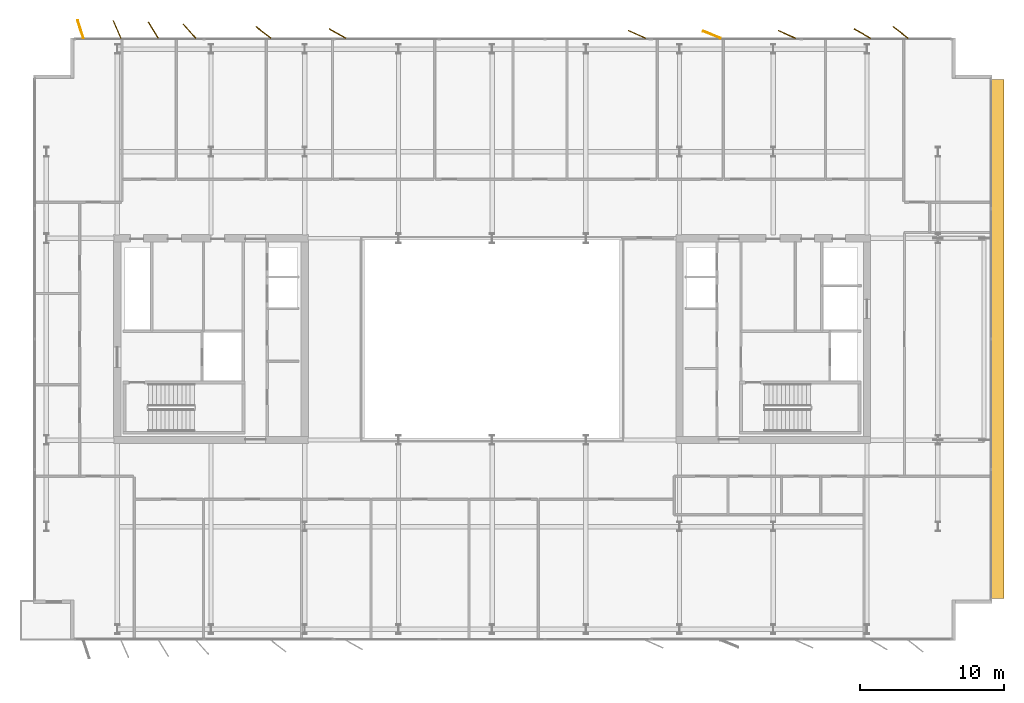
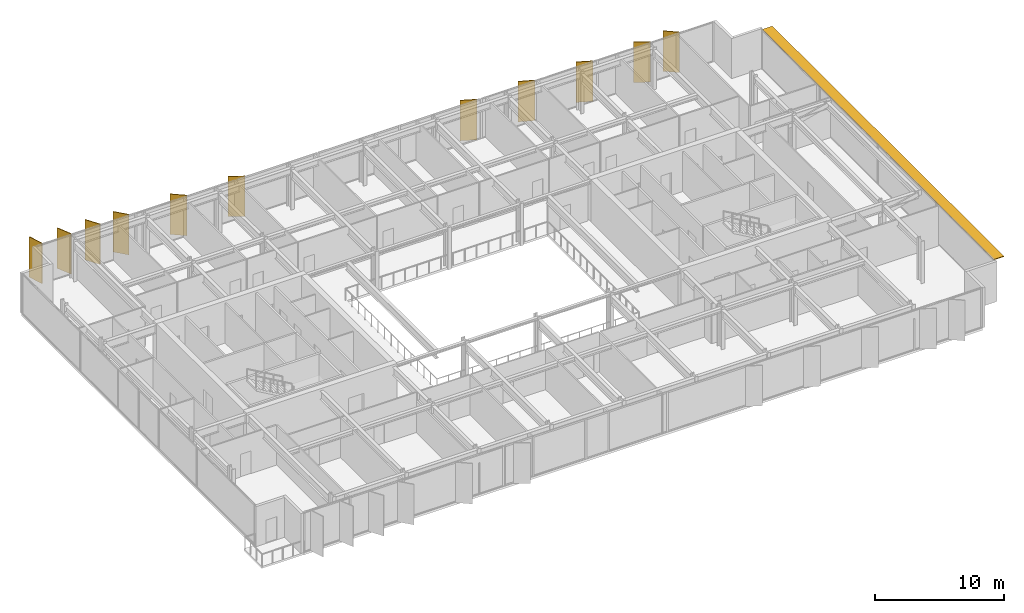
# One storey, part 20 of 20: 12 shading devices.
"""IFC4 building model written with IfcOpenShell, lengths in metres."""

from ifc_helpers import new_model, si_unit, direction, frame, origin, origin_2d, place, context, subcontext, project, spatial, polyline, rectangle, outline, extrude, material, layer, layer_set, type_object, element, save


model = new_model("IFC4")

# Units and contexts
model_context = context("Model", 3, precision=1e-05, world=origin(), true_north=direction((0.0, 1.0)))
body_context = subcontext(model_context, "Body", "Model", "MODEL_VIEW")
ifc_project = project(units=[si_unit("LENGTHUNIT", "METRE"), si_unit("AREAUNIT", "SQUARE_METRE"), si_unit("VOLUMEUNIT", "CUBIC_METRE"), si_unit("PLANEANGLEUNIT", "RADIAN"), si_unit("MASSUNIT", "GRAM", prefix="KILO")], contexts=[model_context])

# Site, building, storey
site_placement = place(None, origin())
site = spatial("IfcSite", under=ifc_project, at=site_placement, CompositionType="ELEMENT")
building_placement = place(site_placement, origin())
building = spatial("IfcBuilding", under=site, at=building_placement, Name="Putna Gate Headquarters", CompositionType="ELEMENT")
storey_placement = place(building_placement, frame((0.0, 0.0, 294.39990234375)))
storey = spatial("IfcBuildingStorey", under=building, at=storey_placement, Name="L74", CompositionType="ELEMENT", Elevation=294.39990234375)

# Shading devices
ifc_material_1 = material(Name="Anodised architectural bronze aluminium fin", Category="aluminium")
ifc_layer_1 = layer(ifc_material_1, 0.06494140625)
ifc_layer_set_1 = layer_set([ifc_layer_1], Name="Anodised architectural bronze aluminium fin")
shading_device_type_1 = type_object("IfcShadingDeviceType", Name="SHADE-BRONZE-FIN-1320", PredefinedType="USERDEFINED", material=ifc_layer_set_1)
for number, where, z_axis, x_axis, name in (
    (1, (10.4462890625, 47.502685546875, -0.02001953125), (0.0, 0.0, 1.0), (-0.308684994204, 0.951164325631, 0.0), "L74 Bronze Vertical Shading Fin N1"),
    (2, (12.985595703125, 47.479736328125, -0.02001953125), (0.0, 0.0, 1.0), (-0.400668879095, 0.916222925562, 0.0), "L74 Bronze Vertical Shading Fin N2"),
    (3, (15.499755859375, 47.434326171875, -0.02001953125), (0.0, 0.0, 1.0), (-0.530659123936, 0.847585331506, 0.0), "L74 Bronze Vertical Shading Fin N3"),
    (4, (18.00830078125, 47.365478515625, -0.02001953125), (0.0, 0.0, 1.0), (-0.669130606359, 0.743144825477, 0.0), "L74 Bronze Vertical Shading Fin N4"),
    (5, (23.13037109375, 47.28173828125, -0.02001953125), (0.0, 0.0, 1.0), (-0.787473187632, 0.616348909921, 0.0), "L74 Bronze Vertical Shading Fin N5"),
    (6, (28.276123046875, 47.201171875, -0.02001953125), (0.0, 0.0, 1.0), (-0.869322458298, 0.494245347472, 0.0), "L74 Bronze Vertical Shading Fin N6"),
    (7, (49.047119140625, 47.143310546875, -0.02001953125), (0.0, 0.0, 1.0), (-0.913687379856, 0.40641773078, 0.0), "L74 Bronze Vertical Shading Fin N7"),
    (8, (54.238037109375, 47.122314453125, -0.02001953125), (0.0, 0.0, 1.0), (-0.927183854567, 0.374606593416, 0.0), "L74 Bronze Vertical Shading Fin N8"),
    (9, (59.447021484375, 47.143310546875, -0.02001953125), (0.0, 0.0, 1.0), (-0.913687379856, 0.40641773078, 0.0), "L74 Bronze Vertical Shading Fin N9"),
    (10, (64.67626953125, 47.201171875, -0.02001953125), (0.0, 0.0, 1.0), (-0.869322458298, 0.494245347472, 0.0), "L74 Bronze Vertical Shading Fin N10"),
    (11, (67.330322265625, 47.28173828125, -0.02001953125), (0.0, 0.0, 1.0), (-0.787473187632, 0.616348909921, 0.0), "L74 Bronze Vertical Shading Fin N11"),
):
    element("IfcShadingDevice", number, at=place(storey_placement, frame(where, z_axis=z_axis, x_axis=x_axis)), inside=storey, type_object=shading_device_type_1, Name=name, ObjectType="FIN", PredefinedType="USERDEFINED", context=body_context, shape_type="SweptSolid", body=[
        extrude(rectangle(XDim=1.320068359375, YDim=0.06494140625, at=origin_2d()), origin(), (0.0, 0.0, 1.0), 3.827880859375),
    ])
ifc_material_2 = material(Name="Anodised architectural bronze sunshade blade", Category="aluminium")
ifc_layer_2 = layer(ifc_material_2, 0.06005859375)
ifc_layer_set_2 = layer_set([ifc_layer_2], Name="Anodised architectural bronze sunshade blade")
shading_device_type_2 = type_object("IfcShadingDeviceType", Name="SHADE-SAIL-BLADE-900", PredefinedType="USERDEFINED", material=ifc_layer_set_2)
shading_device_placement = place(storey_placement, frame((0.0, 0.0, 3.733154296875)))
element("IfcShadingDevice", 12, at=shading_device_placement, inside=storey, type_object=shading_device_type_2, Name="L74 East Sail Horizontal Bronze Sunshade Blade", ObjectType="SUNSHADE", PredefinedType="USERDEFINED", context=body_context, shape_type="SweptSolid", body=[
    extrude(outline(polyline([(73.60498046875, 8.0), (74.5048828125, 8.0), (74.5048828125, 44.0), (73.60498046875, 44.0), (73.60498046875, 8.0)])), origin(), (0.0, 0.0, 1.0), 0.06005859375),
])

save(model, "model.ifc")
